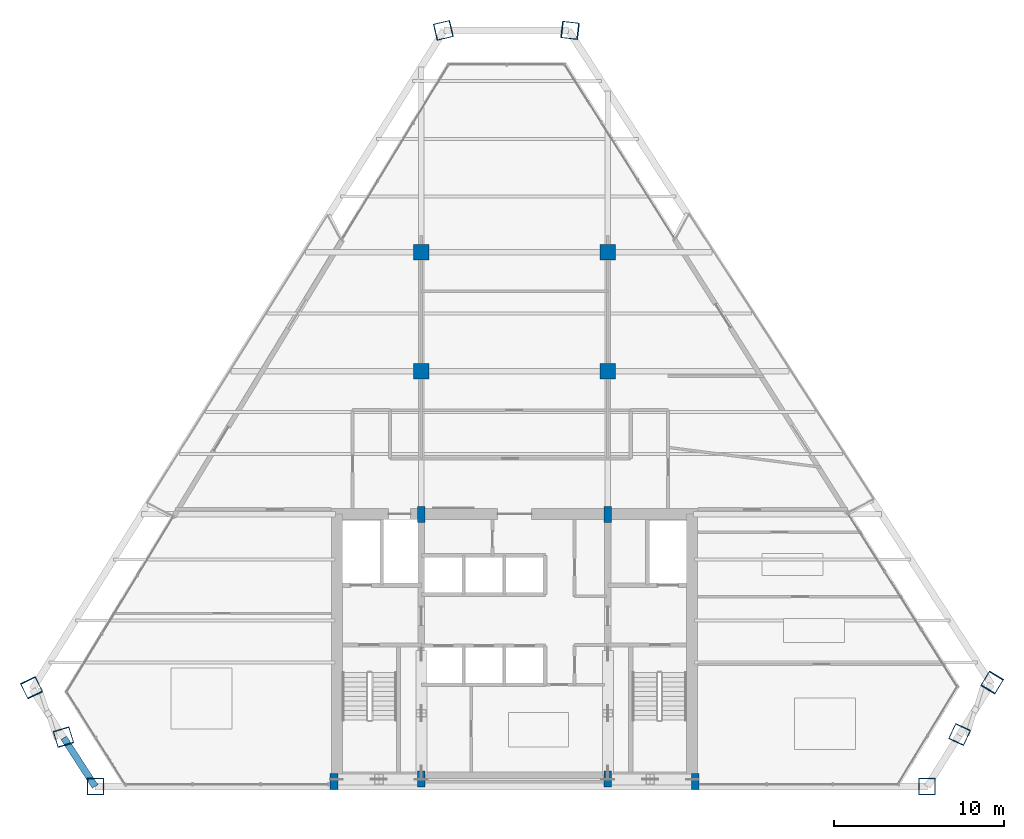
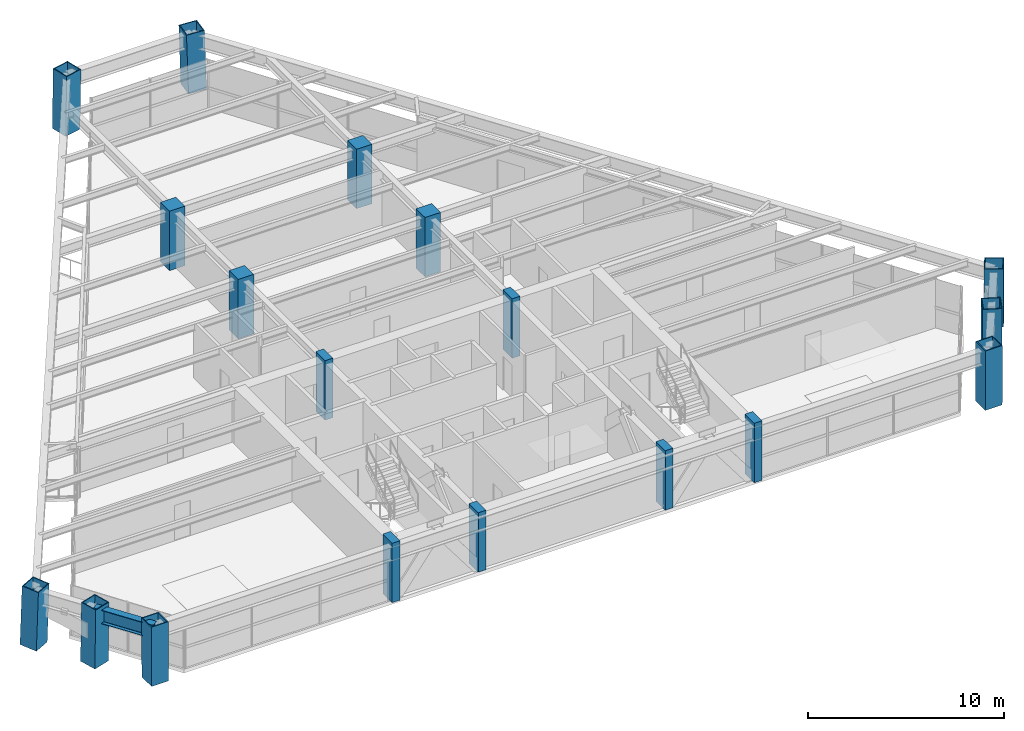
# One storey, part 1 of 13: 18 columns, 1 beam.
"""IFC4 building model written with IfcOpenShell, lengths in metres."""

from ifc_helpers import new_model, si_unit, direction, frame, origin, origin_2d, place, context, subcontext, project, spatial, rectangle, hollow_rectangle, i_section, extrude, source, transform, mapped, material, material_profile, profile_set, type_object, element, save


model = new_model("IFC4")

# Units and contexts
model_context = context("Model", 3, precision=1e-05, world=origin(), true_north=direction((0.0, 1.0)))
body_context = subcontext(model_context, "Body", "Model", "MODEL_VIEW")
ifc_project = project(units=[si_unit("LENGTHUNIT", "METRE"), si_unit("AREAUNIT", "SQUARE_METRE"), si_unit("VOLUMEUNIT", "CUBIC_METRE"), si_unit("PLANEANGLEUNIT", "RADIAN"), si_unit("MASSUNIT", "GRAM", prefix="KILO")], contexts=[model_context])

# Site, building, storey
site_placement = place(None, origin())
site = spatial("IfcSite", under=ifc_project, at=site_placement, CompositionType="ELEMENT")
building_placement = place(site_placement, origin())
building = spatial("IfcBuilding", under=site, at=building_placement, Name="Varnakhor Terracotta Tower", CompositionType="ELEMENT")
storey_placement = place(building_placement, frame((0.0, 0.0, 204.300048828125)))
storey = spatial("IfcBuildingStorey", under=building, at=storey_placement, Name="L52", CompositionType="ELEMENT", Elevation=204.300048828125)

# Columns
ifc_material_1 = material(Name="Concrete C50/60", Category="concrete")
ifc_material_profile_1 = material_profile(ifc_material_1, rectangle(XDim=0.449951171875, YDim=0.949951171875, at=origin_2d()), Name="RC PILASTER 950x450")
ifc_profile_set_1 = profile_set([ifc_material_profile_1], Name="Concrete C50/60")
column_type_1 = type_object("IfcColumnType", Name="COL-PIL-950x450", PredefinedType="PILASTER", material=ifc_profile_set_1)
shared_shape_1 = source(origin(), body_context, "Body", "SweptSolid", [
    extrude(rectangle(XDim=0.449951171875, YDim=0.949951171875, at=origin_2d()), origin(), (0.0, 0.0, 1.0), 3.699951171875),
])
for number, where, z_axis, x_axis, name in (
    (1, (-10.64990234375, 0.300048828125, 0.0), (0.0, 0.0, 1.0), (1.0, 0.0, 0.0), "L52 Core Pilaster CP1"),
    (2, (-5.5, 0.449951171875, 0.0), (0.0, 0.0, 1.0), (1.0, 0.0, 0.0), "L52 Core Pilaster CP2"),
    (3, (5.5, 0.449951171875, 0.0), (0.0, 0.0, 1.0), (1.0, 0.0, 0.0), "L52 Core Pilaster CP3"),
    (4, (10.64990234375, 0.300048828125, 0.0), (0.0, 0.0, 1.0), (1.0, 0.0, 0.0), "L52 Core Pilaster CP4"),
    (5, (-5.5, 16.050048828125, 0.0), (0.0, 0.0, 1.0), (1.0, 0.0, 0.0), "L52 Core Pilaster CP5"),
    (6, (5.5, 16.050048828125, 0.0), (0.0, 0.0, 1.0), (1.0, 0.0, 0.0), "L52 Core Pilaster CP6"),
):
    element("IfcColumn", number, at=place(storey_placement, frame(where, z_axis=z_axis, x_axis=x_axis)), inside=storey, type_object=column_type_1, Name=name, PredefinedType="PILASTER", context=body_context, shape_type="MappedRepresentation", body=[
        mapped(shared_shape_1, transform((0.0, 0.0, 0.0), scale=1.0)),
    ])
ifc_material_profile_2 = material_profile(ifc_material_1, rectangle(XDim=0.919921875, YDim=0.919921875, at=origin_2d()), Name="RC 920x920")
ifc_profile_set_2 = profile_set([ifc_material_profile_2], Name="Concrete C50/60")
column_type_2 = type_object("IfcColumnType", Name="COL-RC-920", PredefinedType="COLUMN", material=ifc_profile_set_2)
shared_shape_2 = source(origin(), body_context, "Body", "SweptSolid", [
    extrude(rectangle(XDim=0.919921875, YDim=0.919921875, at=origin_2d()), origin(), (0.0, 0.0, 1.0), 3.699951171875),
])
for number, where, z_axis, x_axis, name in (
    (7, (-5.5, 24.5, 0.0), (0.0, 0.0, 1.0), (1.0, 0.0, 0.0), "L52 Interior Tower Column IC1"),
    (8, (5.5, 24.5, 0.0), (0.0, 0.0, 1.0), (1.0, 0.0, 0.0), "L52 Interior Tower Column IC2"),
    (9, (-5.5, 31.5, 0.0), (0.0, 0.0, 1.0), (1.0, 0.0, 0.0), "L52 Interior Tower Column IC3"),
    (10, (5.5, 31.5, 0.0), (0.0, 0.0, 1.0), (1.0, 0.0, 0.0), "L52 Interior Tower Column IC4"),
):
    element("IfcColumn", number, at=place(storey_placement, frame(where, z_axis=z_axis, x_axis=x_axis)), inside=storey, type_object=column_type_2, Name=name, PredefinedType="COLUMN", context=body_context, shape_type="MappedRepresentation", body=[
        mapped(shared_shape_2, transform((0.0, 0.0, 0.0), scale=1.0)),
    ])
ifc_material_2 = material(Name="Steel S460", Category="steel")
ifc_material_profile_3 = material_profile(ifc_material_2, hollow_rectangle(XDim=1.0, YDim=1.0, WallThickness=0.050048828125, at=origin_2d()), Name="BOX 1000x1000x50")
ifc_profile_set_3 = profile_set([ifc_material_profile_3], Name="Steel S460")
column_type_3 = type_object("IfcColumnType", Name="COL-MEGA-1000", PredefinedType="COLUMN", material=ifc_profile_set_3)
shared_shape_3 = source(origin(), body_context, "Body", "SweptSolid", [
    extrude(hollow_rectangle(XDim=1.0, YDim=1.0, WallThickness=0.050048828125, at=origin_2d()), origin(), (0.0, 0.0, 1.0), 3.691162109375),
])
for number, where, z_axis, x_axis, name in (
    (11, (-24.717529296875, 0.0, 0.00439453125), (-0.005820392182, 0.0, 0.999983061374), (0.0, -1.0, 0.0), "L52 Perimeter Mega-Column M1"),
    (12, (24.326416015625, 0.0, 0.00439453125), (0.004034625538, 0.0, 0.999991860865), (0.0, 1.0, 0.0), "L52 Perimeter Mega-Column M2"),
):
    element("IfcColumn", number, at=place(storey_placement, frame(where, z_axis=z_axis, x_axis=x_axis)), inside=storey, type_object=column_type_3, Name=name, PredefinedType="COLUMN", context=body_context, shape_type="MappedRepresentation", body=[
        mapped(shared_shape_3, transform((0.0, 0.0, 0.0), scale=1.0)),
    ])
shared_shape_4 = source(origin(), body_context, "Body", "SweptSolid", [
    extrude(hollow_rectangle(XDim=1.0, YDim=1.0, WallThickness=0.050048828125, at=origin_2d()), origin(), (0.0, 0.0, 1.0), 3.691650390625),
])
for number, where, z_axis, x_axis, name in (
    (13, (26.25390625, 3.07470703125, 0.00439453125), (-0.006745610333, -0.014549355619, 0.999871398227), (0.907233850957, -0.420626603626, 0.0), "L52 Perimeter Mega-Column M3"),
    (14, (-4.20947265625, 44.593994140625, 0.00439453125), (0.015541375967, 0.003637343311, 0.999872609569), (-0.227884467378, 0.973688178796, 0.0), "L52 Perimeter Mega-Column M6"),
    (15, (-26.60888671875, 2.92138671875, 0.00439453125), (0.004695468458, -0.015409072545, 0.999870248112), (0.956574384198, 0.291488331665, 0.0), "L52 Perimeter Mega-Column M8"),
):
    element("IfcColumn", number, at=place(storey_placement, frame(where, z_axis=z_axis, x_axis=x_axis)), inside=storey, type_object=column_type_3, Name=name, PredefinedType="COLUMN", context=body_context, shape_type="MappedRepresentation", body=[
        mapped(shared_shape_4, transform((0.0, 0.0, 0.0), scale=1.0)),
    ])
shared_shape_5 = source(origin(), body_context, "Body", "SweptSolid", [
    extrude(hollow_rectangle(XDim=1.0, YDim=1.0, WallThickness=0.050048828125, at=origin_2d()), origin(), (0.0, 0.0, 1.0), 3.693359375),
])
for number, where, z_axis, x_axis, name in (
    (16, (28.18115234375, 6.1494140625, 0.00439453125), (-0.017517508084, -0.029085673799, 0.999423414019), (0.856632807503, -0.515926577246, 0.0), "L52 Perimeter Mega-Column M4"),
    (17, (-28.500244140625, 5.842529296875, 0.00439453125), (0.015203729745, -0.030671872182, 0.999413869655), (0.895966625066, 0.444121387425, 0.0), "L52 Perimeter Mega-Column M7"),
):
    element("IfcColumn", number, at=place(storey_placement, frame(where, z_axis=z_axis, x_axis=x_axis)), inside=storey, type_object=column_type_3, Name=name, PredefinedType="COLUMN", context=body_context, shape_type="MappedRepresentation", body=[
        mapped(shared_shape_5, transform((0.0, 0.0, 0.0), scale=1.0)),
    ])
shared_shape_6 = source(origin(), body_context, "Body", "SweptSolid", [
    extrude(hollow_rectangle(XDim=1.0, YDim=1.0, WallThickness=0.050048828125, at=origin_2d()), origin(), (0.0, 0.0, 1.0), 3.69287109375),
])
column_placement = place(storey_placement, frame((3.291748046875, 44.593994140625, 0.00439453125), z_axis=(-0.031203587392, 0.003636011243, 0.999506435975), x_axis=(-0.115742288663, -0.99327927725, 0.0)))
element("IfcColumn", 18, at=column_placement, inside=storey, type_object=column_type_3, Name="L52 Perimeter Mega-Column M5", PredefinedType="COLUMN", context=body_context, shape_type="MappedRepresentation", body=[
    mapped(shared_shape_6, transform((0.0, 0.0, 0.0), scale=1.0)),
])

# Beam
ifc_material_3 = material(Name="Steel S355", Category="steel")
ifc_material_profile_4 = material_profile(ifc_material_3, i_section(OverallWidth=0.39990234375, OverallDepth=0.85498046875, WebThickness=0.01806640625, FlangeThickness=0.029052734375, FilletRadius=0.01806640625, at=origin_2d()), Name="W33X201")
ifc_profile_set_4 = profile_set([ifc_material_profile_4], Name="Steel S355")
beam_type = type_object("IfcBeamType", Name="BM-W33X201", PredefinedType="BEAM", material=ifc_profile_set_4)
shared_shape_7 = source(origin(), body_context, "Body", "SweptSolid", [
    extrude(i_section(OverallWidth=0.39990234375, OverallDepth=0.85498046875, WebThickness=0.01806640625, FlangeThickness=0.029052734375, FilletRadius=0.01806640625, at=origin_2d()), origin(), (0.0, 0.0, 1.0), 3.411376953125),
])
beam_placement = place(storey_placement, frame((-26.591552734375, 2.864501953125, 3.04248046875), z_axis=(0.543052445558, -0.839698780143, 0.0), x_axis=(0.839698780143, 0.543052445558, 0.0)))
element("IfcBeam", 19, at=beam_placement, inside=storey, type_object=beam_type, Name="L52 Perimeter Spandrel 8", PredefinedType="BEAM", context=body_context, shape_type="MappedRepresentation", body=[
    mapped(shared_shape_7, transform((0.0, 0.0, 0.0), scale=1.0)),
])

save(model, "model.ifc")
